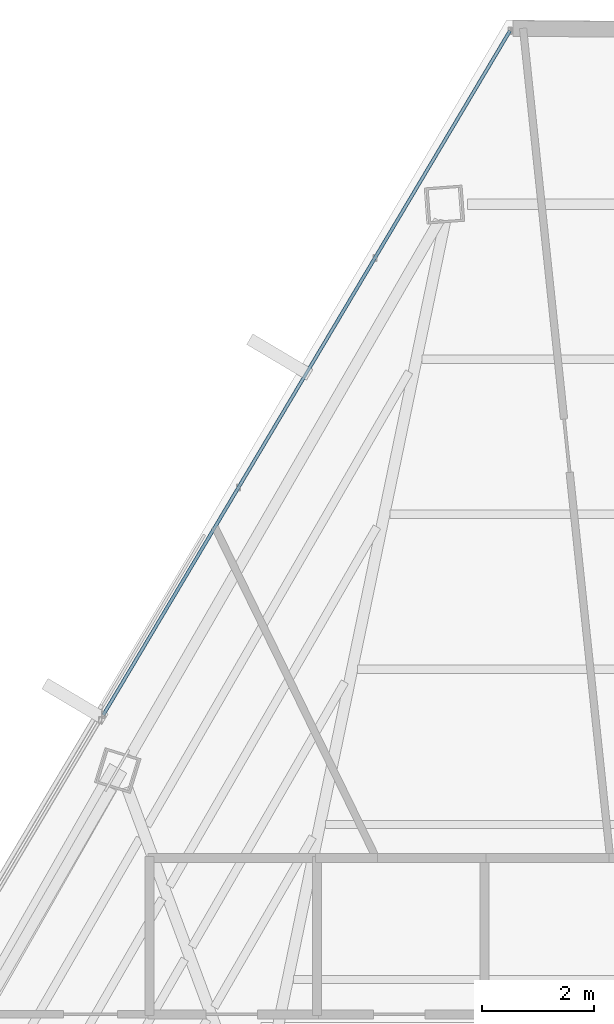
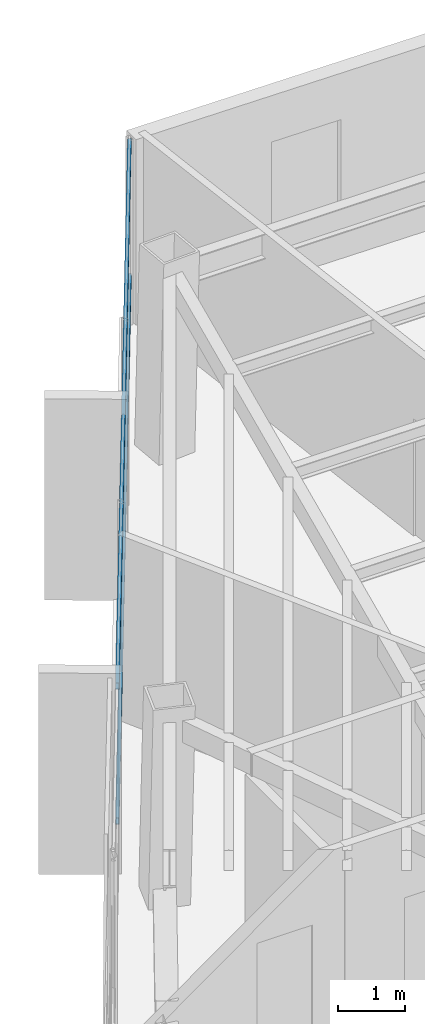
# One storey, part 30 of 42: 2 members, 1 element without a shape of its own.
"""IFC4 building model written with IfcOpenShell, lengths in metres."""

from ifc_helpers import new_model, si_unit, direction, frame, origin, origin_2d, place, context, subcontext, project, spatial, hollow_rectangle, extrude, source, transform, mapped, material, material_profile, profile_set, type_object, type_shapes, element, aggregate, save


model = new_model("IFC4")

# Units and contexts
model_context = context("Model", 3, precision=1e-05, world=origin(), true_north=direction((0.0, 1.0)))
body_context = subcontext(model_context, "Body", "Model", "MODEL_VIEW")
ifc_project = project(units=[si_unit("LENGTHUNIT", "METRE"), si_unit("AREAUNIT", "SQUARE_METRE"), si_unit("VOLUMEUNIT", "CUBIC_METRE"), si_unit("PLANEANGLEUNIT", "RADIAN"), si_unit("MASSUNIT", "GRAM", prefix="KILO")], contexts=[model_context])

# Site, building, storey
site_placement = place(None, origin())
site = spatial("IfcSite", under=ifc_project, at=site_placement, CompositionType="ELEMENT")
building_placement = place(site_placement, origin())
building = spatial("IfcBuilding", under=site, at=building_placement, Name="Caelisora Broadcast Tower", CompositionType="ELEMENT")
storey_placement = place(building_placement, frame((0.0, 0.0, 244.449951171875)))
storey = spatial("IfcBuildingStorey", under=building, at=storey_placement, Name="L64", CompositionType="ELEMENT", Elevation=244.449951171875)

# Curtain wall, members
ifc_material_1 = material(Name="Unitised Aluminium and Low-E Glass Curtain Wall", Category="glass")
curtain_wall_type = type_object("IfcCurtainWallType", Name="CW-Z5", PredefinedType="NOTDEFINED", material=ifc_material_1)
curtain_wall_placement = place(storey_placement, origin())
curtain_wall = element("IfcCurtainWall", 1, at=curtain_wall_placement, inside=storey, type_object=curtain_wall_type, Name="L64 curtain wall CW-Z5", PredefinedType="NOTDEFINED")
ifc_material_2 = material(Name="Aluminium 6063-T6 Anodised Terracotta Bronze", Category="aluminium")
ifc_material_profile = material_profile(ifc_material_2, hollow_rectangle(XDim=0.06005859375, YDim=0.1201171875, WallThickness=0.0029296875, at=origin_2d()), Name="Aluminium 6063-T6 Anodised Terracotta Bronze")
ifc_profile_set = profile_set([ifc_material_profile], Name="Aluminium 6063-T6 Anodised Terracotta Bronze")
member_type = type_object("IfcMemberType", Name="CWT-03", PredefinedType="USERDEFINED", material=ifc_profile_set)
shared_shape = source(origin(), body_context, "Body", "SweptSolid", [
    extrude(hollow_rectangle(XDim=0.06005859375, YDim=0.1201171875, WallThickness=0.0029296875, at=origin_2d()), origin(), (0.0, 0.0, 1.0), 14.253662109375),
])
type_shapes(member_type, [shared_shape])
member_1_placement = place(storey_placement, frame((27.771728515625, 37.514892578125, 0.85009765625), z_axis=(0.511002885045, 0.859578996647, 0.0), x_axis=(-0.859578996647, 0.511002885045, 0.0)))
member_1 = element("IfcMember", 2, at=member_1_placement, type_object=member_type, Name="L64-CW-B11 transom #1", ObjectType="TRANSOM", PredefinedType="USERDEFINED", context=body_context, shape_type="MappedRepresentation", body=[
    mapped(shared_shape, transform((0.0, 0.0, 0.0), scale=1.0)),
])
member_2_placement = place(storey_placement, frame((27.771728515625, 37.514892578125, 3.320068359375), z_axis=(0.511002885045, 0.859578996647, 0.0), x_axis=(-0.859578996647, 0.511002885045, 0.0)))
member_2 = element("IfcMember", 3, at=member_2_placement, type_object=member_type, Name="L64-CW-B11 transom #2", ObjectType="TRANSOM", PredefinedType="USERDEFINED", context=body_context, shape_type="MappedRepresentation", body=[
    mapped(shared_shape, transform((0.0, 0.0, 0.0), scale=1.0)),
])
aggregate(curtain_wall, [member_1, member_2])

save(model, "model.ifc")
